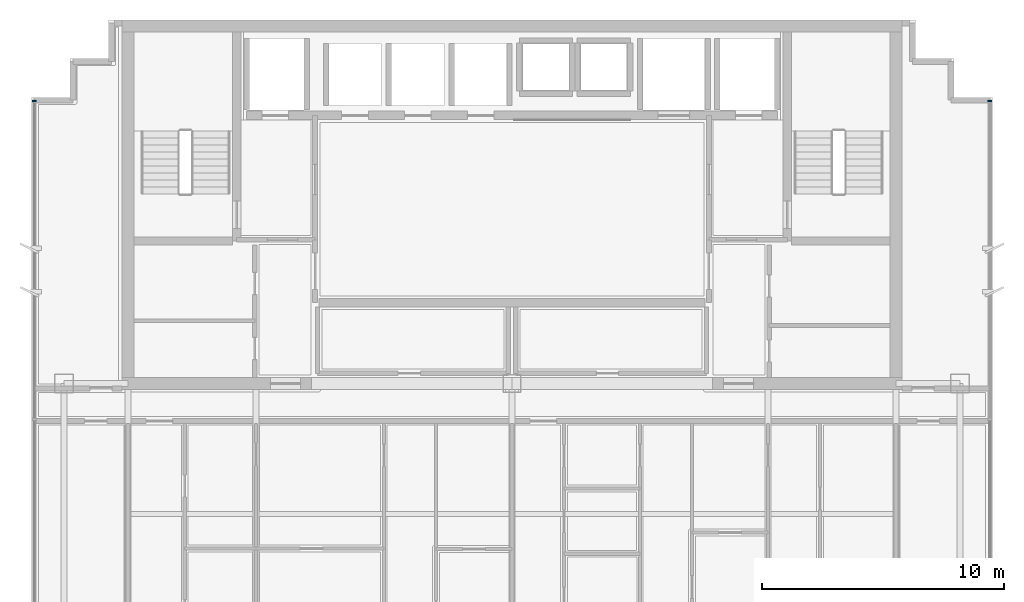
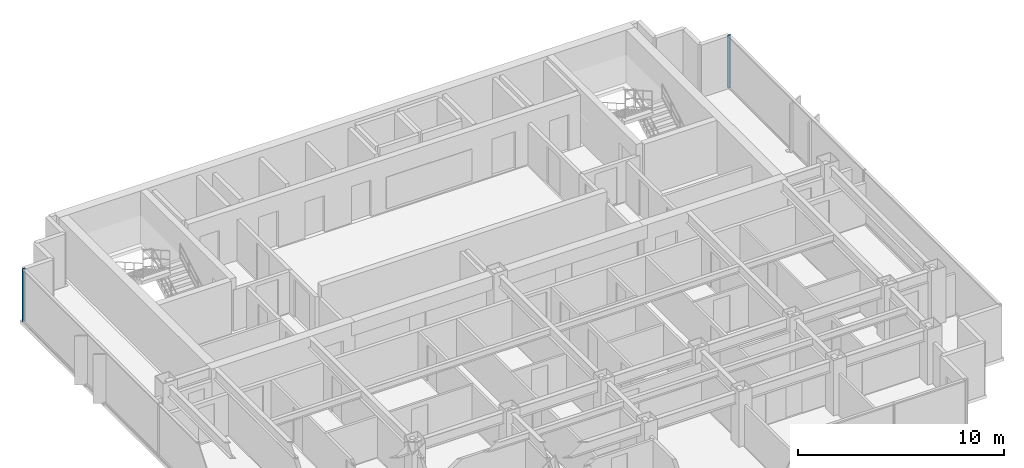
# One storey, part 5 of 12: 2 members, 2 elements without a shape of their own.
"""IFC4 building model written with IfcOpenShell, lengths in metres."""

from ifc_helpers import new_model, si_unit, direction, frame, origin, origin_2d, place, context, subcontext, project, spatial, rectangle, extrude, source, transform, mapped, material, layer, layer_set, material_profile, profile_set, type_object, element, aggregate, save


model = new_model("IFC4")

# Units and contexts
model_context = context("Model", 3, precision=1e-05, world=origin(), true_north=direction((0.0, 1.0)))
body_context = subcontext(model_context, "Body", "Model", "MODEL_VIEW")
ifc_project = project(units=[si_unit("LENGTHUNIT", "METRE"), si_unit("AREAUNIT", "SQUARE_METRE"), si_unit("VOLUMEUNIT", "CUBIC_METRE"), si_unit("PLANEANGLEUNIT", "RADIAN"), si_unit("MASSUNIT", "GRAM", prefix="KILO")], contexts=[model_context])

# Site, building, storey
site_placement = place(None, origin())
site = spatial("IfcSite", under=ifc_project, at=site_placement, CompositionType="ELEMENT")
building_placement = place(site_placement, origin())
building = spatial("IfcBuilding", under=site, at=building_placement, Name="Qianlan Lanfeng Residences", CompositionType="ELEMENT")
storey_placement = place(building_placement, frame((0.0, 0.0, 216.5)))
storey = spatial("IfcBuildingStorey", under=building, at=storey_placement, Name="L59", CompositionType="ELEMENT", Elevation=216.5)

# Curtain wall, member
ifc_material = material(Name="Anodised Bronze Aluminium 6063-T6", Category="aluminium")
ifc_layer = layer(ifc_material, 0.219970703125)
ifc_layer_set = layer_set([ifc_layer], Name="Anodised Bronze Aluminium 6063-T6")
curtain_wall_type = type_object("IfcCurtainWallType", Name="CW-05", PredefinedType="NOTDEFINED", material=ifc_layer_set)
curtain_wall_1_placement = place(storey_placement, origin())
curtain_wall_1 = element("IfcCurtainWall", 1, at=curtain_wall_1_placement, inside=storey, type_object=curtain_wall_type, Name="L59 Unitised Curtain Wall CWR-L59-04 (CW-05)", PredefinedType="NOTDEFINED")
ifc_material_profile = material_profile(ifc_material, rectangle(XDim=0.074951171875, YDim=0.179931640625, at=origin_2d()), Name="ALU MULLION 75x180")
ifc_profile_set = profile_set([ifc_material_profile], Name="Anodised Bronze Aluminium 6063-T6")
member_type = type_object("IfcMemberType", Name="CWM-180", PredefinedType="MULLION", material=ifc_profile_set)
shared_shape = source(origin(), body_context, "Body", "SweptSolid", [
    extrude(rectangle(XDim=0.074951171875, YDim=0.179931640625, at=origin_2d()), origin(), (0.0, 0.0, 1.0), 3.110107421875),
])
member_1_placement = place(storey_placement, frame((46.280029296875, 36.892578125, 0.0), z_axis=(0.0, 0.0, 1.0), x_axis=(0.0, 1.0, 0.0)))
member_1 = element("IfcMember", 2, at=member_1_placement, type_object=member_type, Name="CWR-L59-04 Mullion 3", PredefinedType="MULLION", context=body_context, shape_type="MappedRepresentation", body=[
    mapped(shared_shape, transform((0.0, 0.0, 0.0), scale=1.0)),
])
aggregate(curtain_wall_1, [member_1])

curtain_wall_2_placement = place(storey_placement, origin())
curtain_wall_2 = element("IfcCurtainWall", 3, at=curtain_wall_2_placement, inside=storey, type_object=curtain_wall_type, Name="L59 Unitised Curtain Wall CWR-L59-05 (CW-05)", PredefinedType="NOTDEFINED")
member_2_placement = place(storey_placement, frame((6.719970703125, 36.892578125, 0.0), z_axis=(0.0, 0.0, 1.0), x_axis=(0.0, -1.0, 0.0)))
member_2 = element("IfcMember", 4, at=member_2_placement, type_object=member_type, Name="CWR-L59-05 Mullion 1", PredefinedType="MULLION", context=body_context, shape_type="MappedRepresentation", body=[
    mapped(shared_shape, transform((0.0, 0.0, 0.0), scale=1.0)),
])
aggregate(curtain_wall_2, [member_2])

save(model, "model.ifc")
